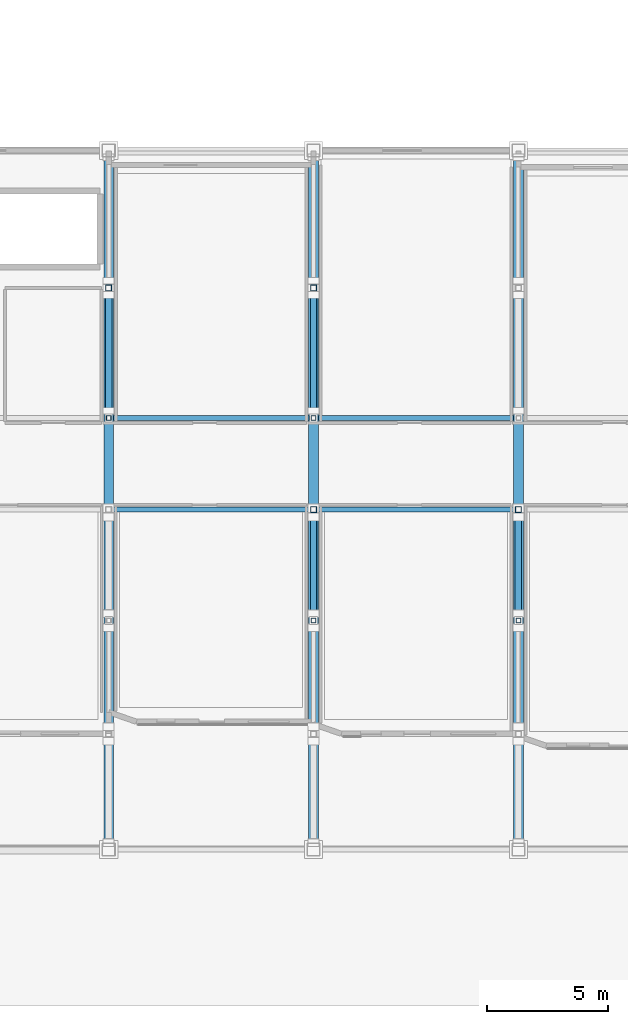
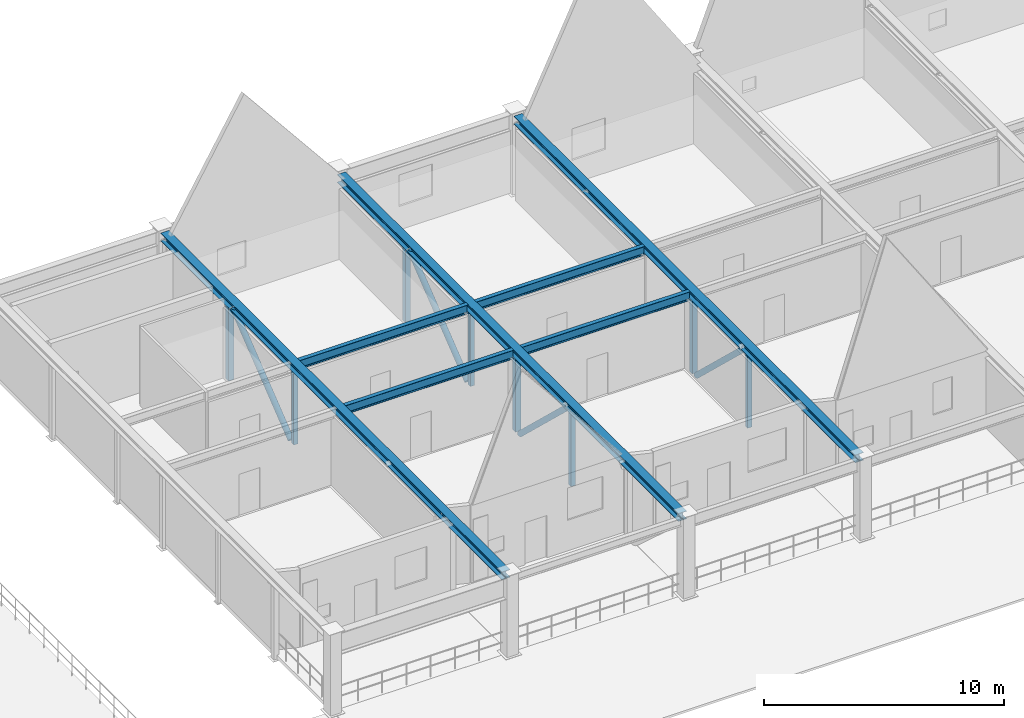
# One storey, part 27 of 78: 12 members, 7 beams.
"""IFC4 building model written with IfcOpenShell, lengths in metres."""

from ifc_helpers import new_model, si_unit, direction, frame, origin, origin_2d, place, context, subcontext, project, spatial, hollow_rectangle, hollow_circle, i_section, extrude, material, material_profile, profile_set, type_object, element, save


model = new_model("IFC4")

# Units and contexts
model_context = context("Model", 3, precision=1e-05, world=origin(), true_north=direction((0.0, 1.0)))
body_context = subcontext(model_context, "Body", "Model", "MODEL_VIEW")
ifc_project = project(units=[si_unit("LENGTHUNIT", "METRE"), si_unit("AREAUNIT", "SQUARE_METRE"), si_unit("VOLUMEUNIT", "CUBIC_METRE"), si_unit("PLANEANGLEUNIT", "RADIAN"), si_unit("MASSUNIT", "GRAM", prefix="KILO"), si_unit("THERMODYNAMICTEMPERATUREUNIT", "KELVIN"), si_unit("POWERUNIT", "WATT")], contexts=[model_context])

# Site, building, storey
site_placement = place(None, origin())
site = spatial("IfcSite", under=ifc_project, at=site_placement, CompositionType="ELEMENT")
building_placement = place(site_placement, origin())
building = spatial("IfcBuilding", under=site, at=building_placement, Name="Zhenchuan Central Fire Station", CompositionType="ELEMENT")
storey_placement = place(building_placement, frame((0.0, 0.0, 5.85009765625)))
storey = spatial("IfcBuildingStorey", under=building, at=storey_placement, Name="L02", CompositionType="ELEMENT", Elevation=5.85009765625)

# Beams
ifc_material = material(Name="Steel Q355B", Category="steel")
ifc_material_profile_1 = material_profile(ifc_material, i_section(OverallWidth=0.199951171875, OverallDepth=0.449951171875, WebThickness=0.009033203125, FlangeThickness=0.013916015625, FilletRadius=0.01806640625, at=origin_2d()), Name="HN 450x200")
ifc_profile_set_1 = profile_set([ifc_material_profile_1], Name="Steel Q355B")
beam_type_1 = type_object("IfcBeamType", Name="BM-HN450", PredefinedType="BEAM", material=ifc_profile_set_1)
for number, where, z_axis, x_axis, name in (
    (1, (64.697021484375, 20.60009765625, 3.77490234375), (1.0, 0.0, 0.0), (0.0, 1.0, 0.0), "Pavilion Corridor Tie Girder 0542"),
    (2, (64.697021484375, 24.39990234375, 3.77490234375), (1.0, 0.0, 0.0), (0.0, 1.0, 0.0), "Pavilion Corridor Tie Girder 0543"),
    (3, (73.197021484375, 20.60009765625, 3.77490234375), (1.0, 0.0, 0.0), (0.0, 1.0, 0.0), "Pavilion Corridor Tie Girder 0544"),
    (4, (73.197021484375, 24.39990234375, 3.77490234375), (1.0, 0.0, 0.0), (0.0, 1.0, 0.0), "Pavilion Corridor Tie Girder 0545"),
):
    element("IfcBeam", number, at=place(storey_placement, frame(where, z_axis=z_axis, x_axis=x_axis)), inside=storey, type_object=beam_type_1, Name=name, PredefinedType="BEAM", context=body_context, shape_type="SweptSolid", body=[
        extrude(i_section(OverallWidth=0.199951171875, OverallDepth=0.449951171875, WebThickness=0.009033203125, FlangeThickness=0.013916015625, FilletRadius=0.01806640625, at=origin_2d()), origin(), (0.0, 0.0, 1.0), 8.10595703125),
    ])
ifc_material_profile_2 = material_profile(ifc_material, i_section(OverallWidth=0.39990234375, OverallDepth=0.39990234375, WebThickness=0.012939453125, FlangeThickness=0.02099609375, FilletRadius=0.02197265625, at=origin_2d()), Name="HW 400x400")
ifc_profile_set_2 = profile_set([ifc_material_profile_2], Name="Steel Q355B")
beam_type_2 = type_object("IfcBeamType", Name="BM-HW400-INT", PredefinedType="BEAM", material=ifc_profile_set_2)
for number, where, z_axis, x_axis, name in (
    (5, (64.5, 6.77490234375, 3.7998046875), (0.0, 1.0, 0.0), (-1.0, 0.0, 0.0), "Pratt Transfer Truss TT-02 Top Chord"),
    (6, (73.0, 6.77490234375, 3.7998046875), (0.0, 1.0, 0.0), (-1.0, 0.0, 0.0), "Pratt Transfer Truss TT-03 Top Chord"),
    (7, (81.5, 6.77490234375, 3.7998046875), (0.0, 1.0, 0.0), (-1.0, 0.0, 0.0), "Pratt Transfer Truss TT-04 Top Chord"),
):
    element("IfcBeam", number, at=place(storey_placement, frame(where, z_axis=z_axis, x_axis=x_axis)), inside=storey, type_object=beam_type_2, Name=name, PredefinedType="BEAM", context=body_context, shape_type="SweptSolid", body=[
        extrude(i_section(OverallWidth=0.39990234375, OverallDepth=0.39990234375, WebThickness=0.012939453125, FlangeThickness=0.02099609375, FilletRadius=0.02197265625, at=origin_2d()), origin(), (0.0, 0.0, 1.0), 28.4501953125),
    ])

# Members
ifc_material_profile_3 = material_profile(ifc_material, hollow_circle(Radius=0.136474609375, WallThickness=0.011962890625, at=origin_2d()), Name="CHS 273x12")
ifc_profile_set_3 = profile_set([ifc_material_profile_3], Name="Steel Q355B")
member_type_1 = type_object("IfcMemberType", Name="MB-BR-CHS273", PredefinedType="BRACE", material=ifc_profile_set_3)
member_1_placement = place(storey_placement, frame((64.5, 24.699951171875, -0.2001953125), z_axis=(0.0, 0.784045015832, 0.620703965791), x_axis=(-1.0, 0.0, 0.0)))
element("IfcMember", 8, at=member_1_placement, inside=storey, type_object=member_type_1, Name="Transfer Truss TT-02 Web Diagonal 5", PredefinedType="BRACE", context=body_context, shape_type="SweptSolid", body=[
    extrude(hollow_circle(Radius=0.136474609375, WallThickness=0.011962890625, at=origin_2d()), origin(), (0.0, 0.0, 1.0), 6.1220703125),
])
member_2_placement = place(storey_placement, frame((73.0, 16.300048828125, 3.599853515625), z_axis=(0.0, 0.724995014376, -0.688754113694), x_axis=(-1.0, 0.0, 0.0)))
element("IfcMember", 9, at=member_2_placement, inside=storey, type_object=member_type_1, Name="Transfer Truss TT-03 Web Diagonal 3", PredefinedType="BRACE", context=body_context, shape_type="SweptSolid", body=[
    extrude(hollow_circle(Radius=0.136474609375, WallThickness=0.011962890625, at=origin_2d()), origin(), (0.0, 0.0, 1.0), 5.517333984375),
])
member_3_placement = place(storey_placement, frame((73.0, 24.699951171875, -0.2001953125), z_axis=(0.0, 0.784045015832, 0.620703965791), x_axis=(-1.0, 0.0, 0.0)))
element("IfcMember", 10, at=member_3_placement, inside=storey, type_object=member_type_1, Name="Transfer Truss TT-03 Web Diagonal 5", PredefinedType="BRACE", context=body_context, shape_type="SweptSolid", body=[
    extrude(hollow_circle(Radius=0.136474609375, WallThickness=0.011962890625, at=origin_2d()), origin(), (0.0, 0.0, 1.0), 6.1220703125),
])
member_4_placement = place(storey_placement, frame((81.5, 16.300048828125, 3.599853515625), z_axis=(0.0, 0.724995014376, -0.688754113694), x_axis=(-1.0, 0.0, 0.0)))
element("IfcMember", 11, at=member_4_placement, inside=storey, type_object=member_type_1, Name="Transfer Truss TT-04 Web Diagonal 3", PredefinedType="BRACE", context=body_context, shape_type="SweptSolid", body=[
    extrude(hollow_circle(Radius=0.136474609375, WallThickness=0.011962890625, at=origin_2d()), origin(), (0.0, 0.0, 1.0), 5.517333984375),
])
ifc_material_profile_4 = material_profile(ifc_material, hollow_rectangle(XDim=0.199951171875, YDim=0.199951171875, WallThickness=0.010009765625, at=origin_2d()), Name="SHS 200x200x10")
ifc_profile_set_4 = profile_set([ifc_material_profile_4], Name="Steel Q355B")
member_type_2 = type_object("IfcMemberType", Name="MB-CH-SHS200", PredefinedType="CHORD", material=ifc_profile_set_4)
for number, where, z_axis, x_axis, name in (
    (12, (64.5, 24.39990234375, -0.2001953125), (0.0, 0.0, 1.0), (1.0, 0.0, 0.0), "Transfer Truss TT-02 Web Post 4"),
    (13, (73.0, 16.0, -0.2001953125), (0.0, 0.0, 1.0), (1.0, 0.0, 0.0), "Transfer Truss TT-03 Web Post 2"),
    (14, (73.0, 24.39990234375, -0.2001953125), (0.0, 0.0, 1.0), (1.0, 0.0, 0.0), "Transfer Truss TT-03 Web Post 4"),
    (15, (81.5, 16.0, -0.2001953125), (0.0, 0.0, 1.0), (1.0, 0.0, 0.0), "Transfer Truss TT-04 Web Post 2"),
):
    element("IfcMember", number, at=place(storey_placement, frame(where, z_axis=z_axis, x_axis=x_axis)), inside=storey, type_object=member_type_2, Name=name, PredefinedType="CHORD", context=body_context, shape_type="SweptSolid", body=[
        extrude(hollow_rectangle(XDim=0.199951171875, YDim=0.199951171875, WallThickness=0.010009765625, at=origin_2d()), origin(), (0.0, 0.0, 1.0), 3.800048828125),
    ])
ifc_material_profile_5 = material_profile(ifc_material, hollow_rectangle(XDim=0.25, YDim=0.25, WallThickness=0.011962890625, at=origin_2d()), Name="SHS 250x250x12")
ifc_profile_set_5 = profile_set([ifc_material_profile_5], Name="Steel Q355B")
member_type_3 = type_object("IfcMemberType", Name="MB-CH-SHS250", PredefinedType="CHORD", material=ifc_profile_set_5)
for number, where, z_axis, x_axis, name in (
    (16, (64.5, 29.800048828125, -0.2001953125), (0.0, 0.0, 1.0), (1.0, 0.0, 0.0), "Transfer Truss TT-02 Web Post 5"),
    (17, (73.0, 20.60009765625, -0.2001953125), (0.0, 0.0, 1.0), (1.0, 0.0, 0.0), "Transfer Truss TT-03 Web Post 3"),
    (18, (73.0, 29.800048828125, -0.2001953125), (0.0, 0.0, 1.0), (1.0, 0.0, 0.0), "Transfer Truss TT-03 Web Post 5"),
    (19, (81.5, 20.60009765625, -0.2001953125), (0.0, 0.0, 1.0), (1.0, 0.0, 0.0), "Transfer Truss TT-04 Web Post 3"),
):
    element("IfcMember", number, at=place(storey_placement, frame(where, z_axis=z_axis, x_axis=x_axis)), inside=storey, type_object=member_type_3, Name=name, PredefinedType="CHORD", context=body_context, shape_type="SweptSolid", body=[
        extrude(hollow_rectangle(XDim=0.25, YDim=0.25, WallThickness=0.011962890625, at=origin_2d()), origin(), (0.0, 0.0, 1.0), 3.800048828125),
    ])

save(model, "model.ifc")
